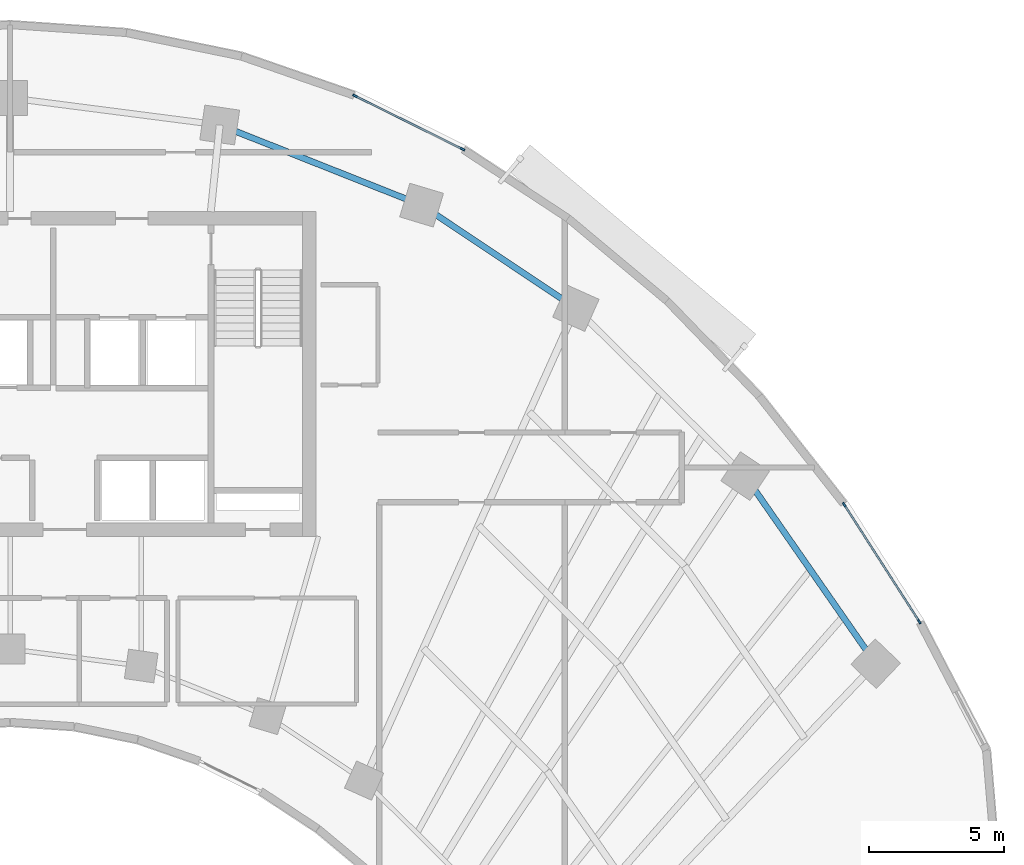
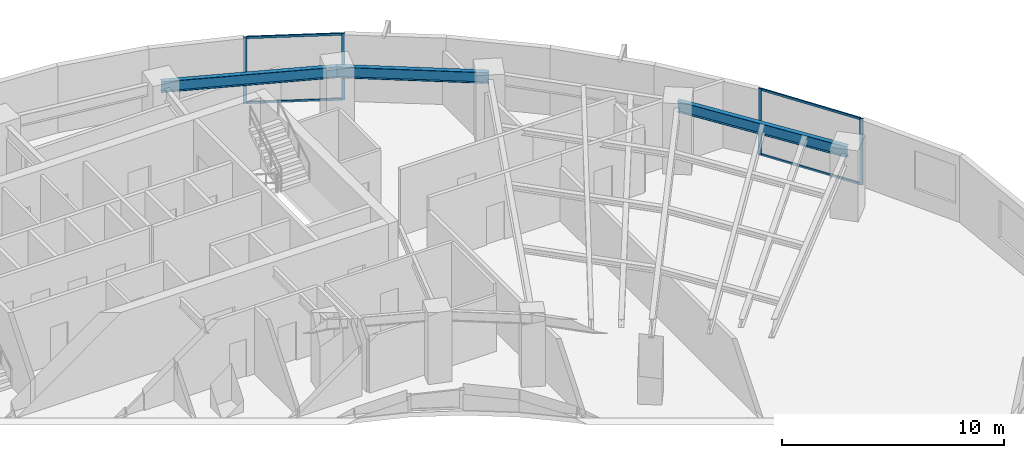
# One storey, part 6 of 14: 8 members, 3 beams, 2 elements without a shape of their own.
"""IFC4 building model written with IfcOpenShell, lengths in metres."""

from ifc_helpers import new_model, si_unit, direction, frame, origin, origin_2d, place, context, subcontext, project, spatial, rectangle, i_section, extrude, source, transform, mapped, material, layer, layer_set, material_profile, profile_set, type_object, element, aggregate, save


model = new_model("IFC4")

# Units and contexts
model_context = context("Model", 3, precision=1e-05, world=origin(), true_north=direction((0.0, 1.0)))
body_context = subcontext(model_context, "Body", "Model", "MODEL_VIEW")
ifc_project = project(units=[si_unit("LENGTHUNIT", "METRE"), si_unit("AREAUNIT", "SQUARE_METRE"), si_unit("VOLUMEUNIT", "CUBIC_METRE"), si_unit("PLANEANGLEUNIT", "RADIAN"), si_unit("MASSUNIT", "GRAM", prefix="KILO")], contexts=[model_context])

# Site, building, storey
site_placement = place(None, origin())
site = spatial("IfcSite", under=ifc_project, at=site_placement, CompositionType="ELEMENT")
building_placement = place(site_placement, origin())
building = spatial("IfcBuilding", under=site, at=building_placement, Name="Breltana Convention Tower", CompositionType="ELEMENT")
storey_placement = place(building_placement, frame((0.0, 0.0, 111.60009765625)))
storey = spatial("IfcBuildingStorey", under=building, at=storey_placement, Name="L26", CompositionType="ELEMENT", Elevation=111.60009765625)

# Beams
ifc_material_1 = material(Name="Steel ASTM A992 Grade 50", Category="steel")
ifc_material_profile_1 = material_profile(ifc_material_1, i_section(OverallWidth=0.22802734375, OverallDepth=0.60791015625, WebThickness=0.01123046875, FlangeThickness=0.017333984375, at=origin_2d()), Name="W24X76")
ifc_profile_set_1 = profile_set([ifc_material_profile_1], Name="Steel ASTM A992 Grade 50")
beam_type = type_object("IfcBeamType", Name="BM-SP-W24X76", PredefinedType="SPANDREL", material=ifc_profile_set_1)
shared_shape_1 = source(origin(), body_context, "Body", "SweptSolid", [
    extrude(i_section(OverallWidth=0.22802734375, OverallDepth=0.60791015625, WebThickness=0.01123046875, FlangeThickness=0.017333984375, at=origin_2d()), origin(), (0.0, 0.0, 1.0), 8.028564453125),
])
beam_1_placement = place(storey_placement, frame((55.746826171875, 75.404296875, 3.345947265625), z_axis=(0.929459100394, -0.368925169507, 0.0), x_axis=(0.368925169507, 0.929459100394, 0.0)))
element("IfcBeam", 1, at=beam_1_placement, inside=storey, type_object=beam_type, Name="L26 Outer Spandrel Beam 07", PredefinedType="SPANDREL", context=body_context, shape_type="MappedRepresentation", body=[
    mapped(shared_shape_1, transform((0.0, 0.0, 0.0), scale=1.0)),
])
shared_shape_2 = source(origin(), body_context, "Body", "SweptSolid", [
    extrude(i_section(OverallWidth=0.22802734375, OverallDepth=0.60791015625, WebThickness=0.01123046875, FlangeThickness=0.017333984375, at=origin_2d()), origin(), (0.0, 0.0, 1.0), 6.856689453125),
])
beam_2_placement = place(storey_placement, frame((63.208984375, 72.4423828125, 3.345947265625), z_axis=(0.83150210718, -0.55552159792, 0.0), x_axis=(0.55552159792, 0.83150210718, 0.0)))
element("IfcBeam", 2, at=beam_2_placement, inside=storey, type_object=beam_type, Name="L26 Outer Spandrel Beam 08", PredefinedType="SPANDREL", context=body_context, shape_type="MappedRepresentation", body=[
    mapped(shared_shape_2, transform((0.0, 0.0, 0.0), scale=1.0)),
])
shared_shape_3 = source(origin(), body_context, "Body", "SweptSolid", [
    extrude(i_section(OverallWidth=0.22802734375, OverallDepth=0.60791015625, WebThickness=0.01123046875, FlangeThickness=0.017333984375, at=origin_2d()), origin(), (0.0, 0.0, 1.0), 8.44970703125),
])
beam_3_placement = place(storey_placement, frame((75.166748046875, 62.43017578125, 3.345947265625), z_axis=(0.5711855381, -0.820820979913, 0.0), x_axis=(0.820820979913, 0.5711855381, 0.0)))
element("IfcBeam", 3, at=beam_3_placement, inside=storey, type_object=beam_type, Name="L26 Outer Spandrel Beam 10", PredefinedType="SPANDREL", context=body_context, shape_type="MappedRepresentation", body=[
    mapped(shared_shape_3, transform((0.0, 0.0, 0.0), scale=1.0)),
])

# Curtain wall, members
ifc_material_2 = material(Name="Aluminium Anodised Bronze Frame", Category="aluminium")
ifc_layer = layer(ifc_material_2, 0.22998046875, Name="Aluminium Anodised Bronze Frame")
ifc_layer_set = layer_set([ifc_layer], Name="Aluminium Anodised Bronze Frame")
curtain_wall_type = type_object("IfcCurtainWallType", Name="CW-SYS-5", PredefinedType="NOTDEFINED", material=ifc_layer_set)
curtain_wall_1_placement = place(storey_placement, origin())
curtain_wall_1 = element("IfcCurtainWall", 4, at=curtain_wall_1_placement, inside=storey, type_object=curtain_wall_type, Name="L26 outer double-skin inner glazing 4", PredefinedType="NOTDEFINED")
ifc_material_3 = material(Name="Aluminium Anodised Bronze", Category="aluminium")
ifc_material_profile_2 = material_profile(ifc_material_3, rectangle(XDim=0.070068359375, YDim=0.175048828125, at=origin_2d()), Name="CWM-70X175")
ifc_profile_set_2 = profile_set([ifc_material_profile_2], Name="Aluminium Anodised Bronze")
member_type_1 = type_object("IfcMemberType", Name="CWM-175", PredefinedType="MULLION", material=ifc_profile_set_2)
shared_shape_4 = source(origin(), body_context, "Body", "SweptSolid", [
    extrude(rectangle(XDim=0.070068359375, YDim=0.175048828125, at=origin_2d()), origin(), (0.0, 0.0, 1.0), 3.64990234375),
])
member_1_placement = place(storey_placement, frame((60.74560546875, 76.48193359375, 0.0), z_axis=(0.0, 0.0, 1.0), x_axis=(0.444121541007, 0.895966548937, 0.0)))
member_1 = element("IfcMember", 5, at=member_1_placement, type_object=member_type_1, Name="CW-05 mullion 1", PredefinedType="MULLION", context=body_context, shape_type="MappedRepresentation", body=[
    mapped(shared_shape_4, transform((0.0, 0.0, 0.0), scale=1.0)),
])
member_2_placement = place(storey_placement, frame((64.719970703125, 74.511962890625, 0.0), z_axis=(0.0, 0.0, 1.0), x_axis=(0.444121541007, 0.895966548937, 0.0)))
member_2 = element("IfcMember", 6, at=member_2_placement, type_object=member_type_1, Name="CW-05 mullion 2", PredefinedType="MULLION", context=body_context, shape_type="MappedRepresentation", body=[
    mapped(shared_shape_4, transform((0.0, 0.0, 0.0), scale=1.0)),
])

curtain_wall_2_placement = place(storey_placement, origin())
curtain_wall_2 = element("IfcCurtainWall", 7, at=curtain_wall_2_placement, inside=storey, type_object=curtain_wall_type, Name="L26 outer double-skin inner glazing 5", PredefinedType="NOTDEFINED")
member_3_placement = place(storey_placement, frame((78.830322265625, 61.370849609375, 0.0), z_axis=(0.0, 0.0, 1.0), x_axis=(0.84155155167, 0.540176809834, 0.0)))
member_3 = element("IfcMember", 8, at=member_3_placement, type_object=member_type_1, Name="CW-05 mullion 1", PredefinedType="MULLION", context=body_context, shape_type="MappedRepresentation", body=[
    mapped(shared_shape_4, transform((0.0, 0.0, 0.0), scale=1.0)),
])
member_4_placement = place(storey_placement, frame((81.604248046875, 57.049560546875, 0.0), z_axis=(0.0, 0.0, 1.0), x_axis=(0.84155155167, 0.540176809834, 0.0)))
member_4 = element("IfcMember", 9, at=member_4_placement, type_object=member_type_1, Name="CW-05 mullion 2", PredefinedType="MULLION", context=body_context, shape_type="MappedRepresentation", body=[
    mapped(shared_shape_4, transform((0.0, 0.0, 0.0), scale=1.0)),
])

# Member
ifc_material_profile_3 = material_profile(ifc_material_3, rectangle(XDim=0.070068359375, YDim=0.1201171875, at=origin_2d()), Name="CWT-70X120")
ifc_profile_set_3 = profile_set([ifc_material_profile_3], Name="Aluminium Anodised Bronze")
member_type_2 = type_object("IfcMemberType", Name="CWT-120", PredefinedType="USERDEFINED", material=ifc_profile_set_3)
shared_shape_5 = source(origin(), body_context, "Body", "SweptSolid", [
    extrude(rectangle(XDim=0.070068359375, YDim=0.1201171875, at=origin_2d()), origin(), (0.0, 0.0, 1.0), 4.365478515625),
])
member_5_placement = place(storey_placement, frame((60.777099609375, 76.46630859375, 0.034912109375), z_axis=(0.89595425125, -0.44414634938, 0.0), x_axis=(0.44414634938, 0.89595425125, 0.0)))
member_5 = element("IfcMember", 10, at=member_5_placement, type_object=member_type_2, Name="CW-05 transom 1.1", ObjectType="TRANSOM", PredefinedType="USERDEFINED", context=body_context, shape_type="MappedRepresentation", body=[
    mapped(shared_shape_5, transform((0.0, 0.0, 0.0), scale=1.0)),
])

member_6_placement = place(storey_placement, frame((60.777099609375, 76.46630859375, 3.614990234375), z_axis=(0.89595425125, -0.44414634938, 0.0), x_axis=(0.44414634938, 0.89595425125, 0.0)))
member_6 = element("IfcMember", 11, at=member_6_placement, type_object=member_type_2, Name="CW-05 transom 1.2", ObjectType="TRANSOM", PredefinedType="USERDEFINED", context=body_context, shape_type="MappedRepresentation", body=[
    mapped(shared_shape_5, transform((0.0, 0.0, 0.0), scale=1.0)),
])

aggregate(curtain_wall_1, [member_1, member_2, member_5, member_6])

shared_shape_6 = source(origin(), body_context, "Body", "SweptSolid", [
    extrude(rectangle(XDim=0.070068359375, YDim=0.1201171875, at=origin_2d()), origin(), (0.0, 0.0, 1.0), 5.065185546875),
])
member_7_placement = place(storey_placement, frame((78.849365234375, 61.341552734375, 0.034912109375), z_axis=(0.540167932383, -0.84155724988, 0.0), x_axis=(0.84155724988, 0.540167932383, 0.0)))
member_7 = element("IfcMember", 12, at=member_7_placement, type_object=member_type_2, Name="CW-05 transom 1.1", ObjectType="TRANSOM", PredefinedType="USERDEFINED", context=body_context, shape_type="MappedRepresentation", body=[
    mapped(shared_shape_6, transform((0.0, 0.0, 0.0), scale=1.0)),
])

member_8_placement = place(storey_placement, frame((78.849365234375, 61.341552734375, 3.614990234375), z_axis=(0.540167932383, -0.84155724988, 0.0), x_axis=(0.84155724988, 0.540167932383, 0.0)))
member_8 = element("IfcMember", 13, at=member_8_placement, type_object=member_type_2, Name="CW-05 transom 1.2", ObjectType="TRANSOM", PredefinedType="USERDEFINED", context=body_context, shape_type="MappedRepresentation", body=[
    mapped(shared_shape_6, transform((0.0, 0.0, 0.0), scale=1.0)),
])

aggregate(curtain_wall_2, [member_3, member_4, member_7, member_8])

save(model, "model.ifc")
